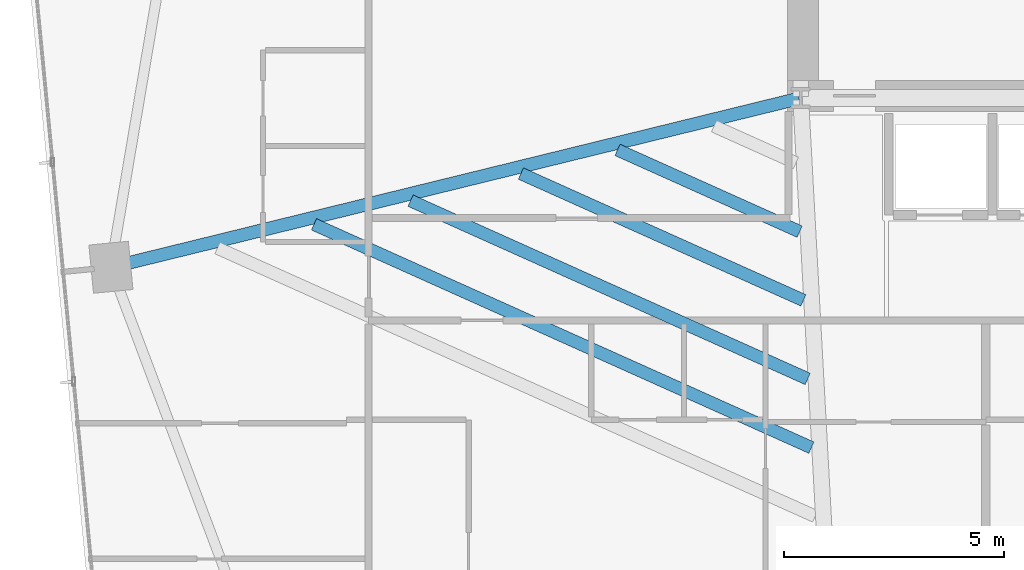
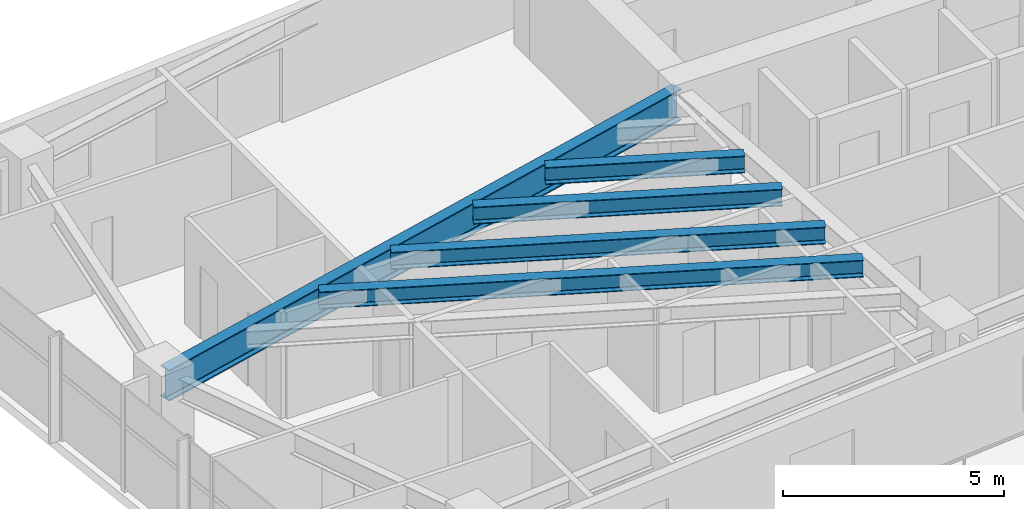
# One storey, part 5 of 25: 5 beams.
"""IFC4 building model written with IfcOpenShell, lengths in metres."""

from ifc_helpers import new_model, si_unit, direction, frame, origin, origin_2d, place, context, subcontext, project, spatial, i_section, extrude, source, transform, mapped, material, material_profile, profile_set, type_object, type_shapes, element, save


model = new_model("IFC4")

# Units and contexts
model_context = context("Model", 3, precision=1e-05, world=origin(), true_north=direction((0.0, 1.0)))
body_context = subcontext(model_context, "Body", "Model", "MODEL_VIEW")
ifc_project = project(units=[si_unit("LENGTHUNIT", "METRE"), si_unit("AREAUNIT", "SQUARE_METRE"), si_unit("VOLUMEUNIT", "CUBIC_METRE"), si_unit("PLANEANGLEUNIT", "RADIAN"), si_unit("MASSUNIT", "GRAM", prefix="KILO")], contexts=[model_context])

# Site, building, storey
site_placement = place(None, origin())
site = spatial("IfcSite", under=ifc_project, at=site_placement, CompositionType="ELEMENT")
building_placement = place(site_placement, origin())
building = spatial("IfcBuilding", under=site, at=building_placement, Name="Astriad Promenade Condominiums", CompositionType="ELEMENT")
storey_placement = place(building_placement, frame((0.0, 0.0, 81.0)))
storey = spatial("IfcBuildingStorey", under=building, at=storey_placement, Name="L22", CompositionType="ELEMENT", Elevation=81.0)

# Beams
ifc_material = material(Name="Steel ASTM A992 Grade 50", Category="steel")
ifc_material_profile_1 = material_profile(ifc_material, i_section(OverallWidth=0.2919921875, OverallDepth=0.85888671875, WebThickness=0.01708984375, FlangeThickness=0.031005859375, FilletRadius=0.02294921875, at=origin_2d()), Name="W33X169")
ifc_profile_set_1 = profile_set([ifc_material_profile_1], Name="Steel ASTM A992 Grade 50")
beam_type_1 = type_object("IfcBeamType", Name="STEEL PRIMARY GIRDER W33X169", PredefinedType="BEAM", material=ifc_profile_set_1)
shared_shape_1 = source(origin(), body_context, "Body", "SweptSolid", [
    extrude(i_section(OverallWidth=0.2919921875, OverallDepth=0.85888671875, WebThickness=0.01708984375, FlangeThickness=0.031005859375, FilletRadius=0.02294921875, at=origin_2d()), origin(), (0.0, 0.0, 1.0), 16.032470703125),
])
type_shapes(beam_type_1, [shared_shape_1])
beam_1_placement = place(storey_placement, frame((10.790283203125, 13.5703125, 2.510498046875), z_axis=(0.971199076901, 0.238269496633, 0.0), x_axis=(-0.238269496633, 0.971199076901, 0.0)))
element("IfcBeam", 1, at=beam_1_placement, inside=storey, type_object=beam_type_1, Name="Primary Floor Girder PG-WM-L22", PredefinedType="BEAM", context=body_context, shape_type="MappedRepresentation", body=[
    mapped(shared_shape_1, transform((0.0, 0.0, 0.0), scale=1.0)),
])
ifc_material_profile_2 = material_profile(ifc_material, i_section(OverallWidth=0.283203125, OverallDepth=0.47216796875, WebThickness=0.013671875, FlangeThickness=0.022216796875, FilletRadius=0.01513671875, at=origin_2d()), Name="W18X97")
ifc_profile_set_2 = profile_set([ifc_material_profile_2], Name="Steel ASTM A992 Grade 50")
beam_type_2 = type_object("IfcBeamType", Name="STEEL FLOOR JOIST W18X97", PredefinedType="JOIST", material=ifc_profile_set_2)
shared_shape_2 = source(origin(), body_context, "Body", "SweptSolid", [
    extrude(i_section(OverallWidth=0.283203125, OverallDepth=0.47216796875, WebThickness=0.013671875, FlangeThickness=0.022216796875, FilletRadius=0.01513671875, at=origin_2d()), origin(), (0.0, 0.0, 1.0), 12.369140625),
])
beam_2_placement = place(storey_placement, frame((15.35888671875, 14.534423828125, 2.703857421875), z_axis=(0.91230851279, -0.409503574454, 0.0), x_axis=(0.409503574454, 0.91230851279, 0.0)))
element("IfcBeam", 2, at=beam_2_placement, inside=storey, type_object=beam_type_2, Name="Secondary Composite Floor Joist JW1-2-L22", PredefinedType="JOIST", context=body_context, shape_type="MappedRepresentation", body=[
    mapped(shared_shape_2, transform((0.0, 0.0, 0.0), scale=1.0)),
])
shared_shape_3 = source(origin(), body_context, "Body", "SweptSolid", [
    extrude(i_section(OverallWidth=0.283203125, OverallDepth=0.47216796875, WebThickness=0.013671875, FlangeThickness=0.022216796875, FilletRadius=0.01513671875, at=origin_2d()), origin(), (0.0, 0.0, 1.0), 9.875),
])
beam_3_placement = place(storey_placement, frame((17.549560546875, 15.072021484375, 2.703857421875), z_axis=(0.912313833055, -0.409491721549, 0.0), x_axis=(0.409491721549, 0.912313833055, 0.0)))
element("IfcBeam", 3, at=beam_3_placement, inside=storey, type_object=beam_type_2, Name="Secondary Composite Floor Joist JW1-3-L22", PredefinedType="JOIST", context=body_context, shape_type="MappedRepresentation", body=[
    mapped(shared_shape_3, transform((0.0, 0.0, 0.0), scale=1.0)),
])
shared_shape_4 = source(origin(), body_context, "Body", "SweptSolid", [
    extrude(i_section(OverallWidth=0.283203125, OverallDepth=0.47216796875, WebThickness=0.013671875, FlangeThickness=0.022216796875, FilletRadius=0.01513671875, at=origin_2d()), origin(), (0.0, 0.0, 1.0), 7.024169921875),
])
beam_4_placement = place(storey_placement, frame((20.053466796875, 15.686279296875, 2.703857421875), z_axis=(0.912306106293, -0.409508935703, 0.0), x_axis=(0.409508935703, 0.912306106293, 0.0)))
element("IfcBeam", 4, at=beam_4_placement, inside=storey, type_object=beam_type_2, Name="Secondary Composite Floor Joist JW1-4-L22", PredefinedType="JOIST", context=body_context, shape_type="MappedRepresentation", body=[
    mapped(shared_shape_4, transform((0.0, 0.0, 0.0), scale=1.0)),
])
shared_shape_5 = source(origin(), body_context, "Body", "SweptSolid", [
    extrude(i_section(OverallWidth=0.283203125, OverallDepth=0.47216796875, WebThickness=0.013671875, FlangeThickness=0.022216796875, FilletRadius=0.01513671875, at=origin_2d()), origin(), (0.0, 0.0, 1.0), 4.52978515625),
])
type_shapes(beam_type_2, [shared_shape_2, shared_shape_3, shared_shape_4, shared_shape_5])
beam_5_placement = place(storey_placement, frame((22.244140625, 16.2236328125, 2.703857421875), z_axis=(0.912307341368, -0.409506184186, 0.0), x_axis=(0.409506184186, 0.912307341368, 0.0)))
element("IfcBeam", 5, at=beam_5_placement, inside=storey, type_object=beam_type_2, Name="Secondary Composite Floor Joist JW1-5-L22", PredefinedType="JOIST", context=body_context, shape_type="MappedRepresentation", body=[
    mapped(shared_shape_5, transform((0.0, 0.0, 0.0), scale=1.0)),
])

save(model, "model.ifc")
